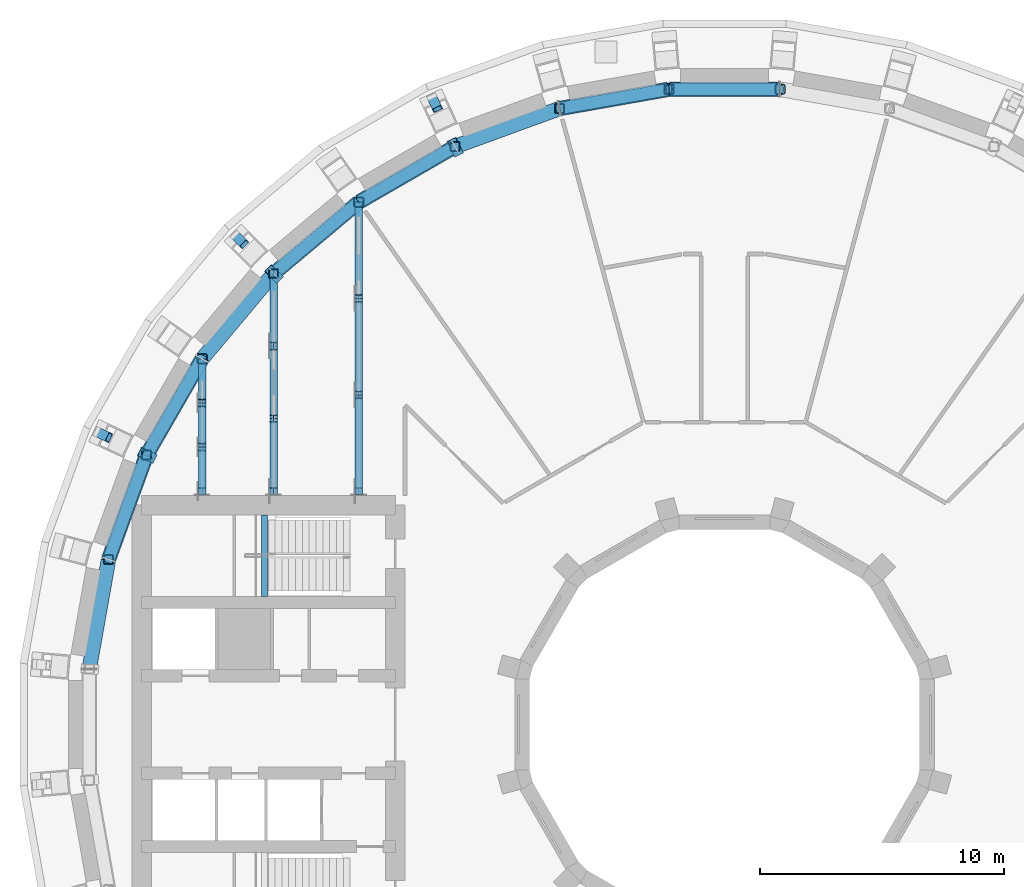
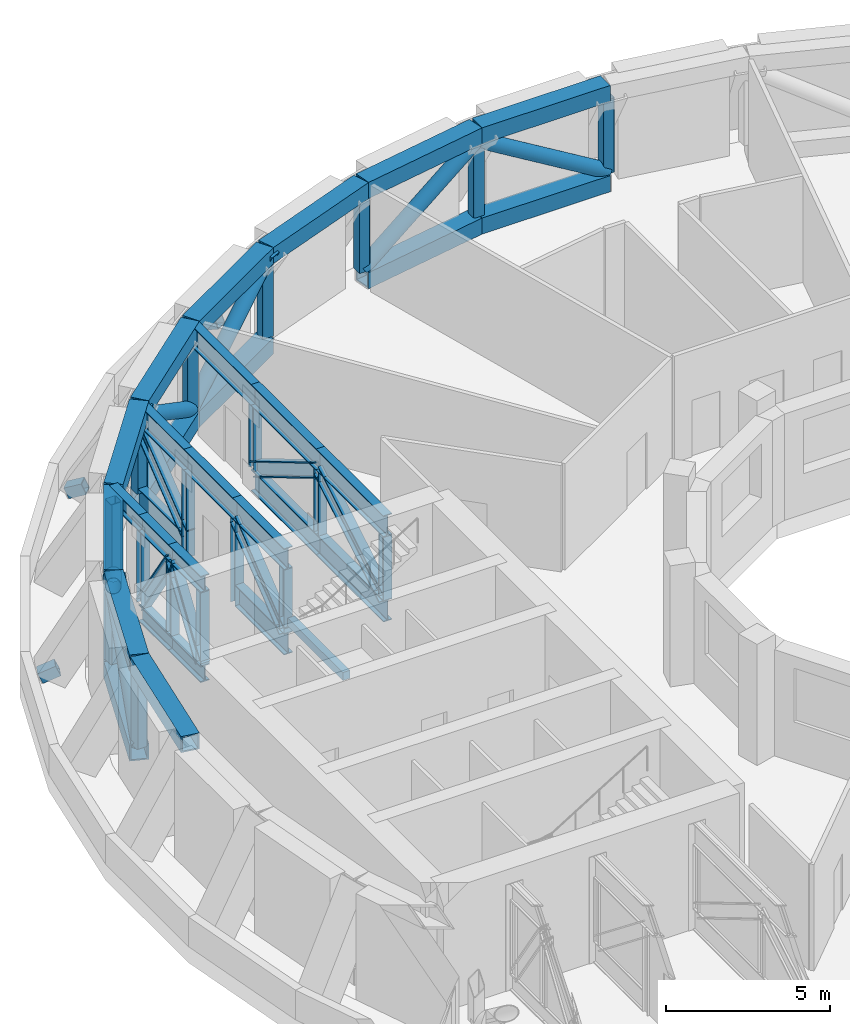
# One storey, part 4 of 19: 60 members, 7 beams.
"""IFC4 building model written with IfcOpenShell, lengths in metres."""

from ifc_helpers import new_model, si_unit, direction, frame, origin, origin_2d, place, context, subcontext, project, spatial, rectangle, hollow_rectangle, hollow_circle, i_section, extrude, material, material_profile, profile_set, type_object, element, save


model = new_model("IFC4")

# Units and contexts
model_context = context("Model", 3, precision=1e-05, world=origin(), true_north=direction((0.0, 1.0)))
body_context = subcontext(model_context, "Body", "Model", "MODEL_VIEW")
ifc_project = project(units=[si_unit("LENGTHUNIT", "METRE"), si_unit("AREAUNIT", "SQUARE_METRE"), si_unit("VOLUMEUNIT", "CUBIC_METRE"), si_unit("PLANEANGLEUNIT", "RADIAN"), si_unit("MASSUNIT", "GRAM", prefix="KILO")], contexts=[model_context])

# Site, building, storey
site_placement = place(None, origin())
site = spatial("IfcSite", under=ifc_project, at=site_placement, CompositionType="ELEMENT")
building_placement = place(site_placement, origin())
building = spatial("IfcBuilding", under=site, at=building_placement, Name="Saqina Gate Tower", CompositionType="ELEMENT")
storey_placement = place(building_placement, frame((0.0, 0.0, 82.39990234375)))
storey = spatial("IfcBuildingStorey", under=building, at=storey_placement, Name="L23", CompositionType="ELEMENT", Elevation=82.39990234375)

# Beam
ifc_material_1 = material(Name="Concrete C40/50", Category="concrete")
ifc_material_profile_1 = material_profile(ifc_material_1, rectangle(XDim=0.25, YDim=0.300048828125, at=origin_2d()), Name="STAIR LANDING BEAM")
ifc_profile_set_1 = profile_set([ifc_material_profile_1], Name="Concrete C40/50")
beam_type_1 = type_object("IfcBeamType", Name="STAIR LANDING BEAM", PredefinedType="BEAM", material=ifc_profile_set_1)
beam_placement = place(storey_placement, frame((-18.860107421875, 5.25, 1.85009765625), z_axis=(0.0, 1.0, 0.0), x_axis=(-1.0, 0.0, 0.0)))
element("IfcBeam", 1, at=beam_placement, inside=storey, type_object=beam_type_1, Name="EXIT STAIR 3 LANDING BEAM", PredefinedType="BEAM", context=body_context, shape_type="SweptSolid", body=[
    extrude(rectangle(XDim=0.25, YDim=0.300048828125, at=origin_2d()), origin(), (0.0, 0.0, 1.0), 3.35009765625),
])

# Members
ifc_material_2 = material(Name="Steel S460", Category="steel")
ifc_material_profile_2 = material_profile(ifc_material_2, hollow_rectangle(XDim=0.60009765625, YDim=0.60009765625, WallThickness=0.050048828125, at=origin_2d()), Name="BOX 600x600x50")
ifc_profile_set_2 = profile_set([ifc_material_profile_2], Name="Steel S460")
member_type_1 = type_object("IfcMemberType", Name="STR-BELT TRUSS L23 CHORD-BOX 600x600x50", PredefinedType="CHORD", material=ifc_profile_set_2)
for number, where, z_axis, x_axis, name in (
    (2, (2.2529296875, 26.050537109375, 0.300048828125), (-1.0, 0.0, 0.0), (0.0, -1.0, 0.0), "BELT TRUSS L23 CHORD 019"),
    (3, (2.2529296875, 26.050537109375, 3.650146484375), (-1.0, 0.0, 0.0), (0.0, -1.0, 0.0), "BELT TRUSS L23 CHORD 020"),
):
    element("IfcMember", number, at=place(storey_placement, frame(where, z_axis=z_axis, x_axis=x_axis)), inside=storey, type_object=member_type_1, Name=name, PredefinedType="CHORD", context=body_context, shape_type="SweptSolid", body=[
        extrude(hollow_rectangle(XDim=0.60009765625, YDim=0.60009765625, WallThickness=0.050048828125, at=origin_2d()), origin(), (0.0, 0.0, 1.0), 4.505859375),
    ])
for number, where, z_axis, x_axis, name in (
    (4, (-2.304931640625, 26.0458984375, 0.300048828125), (-0.984805370364, -0.173661689795, 0.0), (0.173661689795, -0.984805370364, 0.0), "BELT TRUSS L23 CHORD 022"),
    (5, (-2.304931640625, 26.0458984375, 3.650146484375), (-0.984805370364, -0.173661689795, 0.0), (0.173661689795, -0.984805370364, 0.0), "BELT TRUSS L23 CHORD 023"),
):
    element("IfcMember", number, at=place(storey_placement, frame(where, z_axis=z_axis, x_axis=x_axis)), inside=storey, type_object=member_type_1, Name=name, PredefinedType="CHORD", context=body_context, shape_type="SweptSolid", body=[
        extrude(hollow_rectangle(XDim=0.60009765625, YDim=0.60009765625, WallThickness=0.050048828125, at=origin_2d()), origin(), (0.0, 0.0, 1.0), 4.505615234375),
    ])
for number, where, z_axis, x_axis, name in (
    (6, (-6.792724609375, 25.25, 3.650146484375), (-0.939698467841, -0.342004078246, 0.0), (0.342004078246, -0.939698467841, 0.0), "BELT TRUSS L23 CHORD 025"),
    (7, (-11.07421875, 23.686767578125, 0.300048828125), (-0.866020461467, -0.500008560247, 0.0), (0.500008560247, -0.866020461467, 0.0), "BELT TRUSS L23 CHORD 026"),
    (8, (-11.07421875, 23.686767578125, 3.650146484375), (-0.866020461467, -0.500008560247, 0.0), (0.500008560247, -0.866020461467, 0.0), "BELT TRUSS L23 CHORD 027"),
    (9, (-15.01904296875, 21.404052734375, 0.300048828125), (-0.766049527971, -0.642781549747, 0.0), (0.642781549747, -0.766049527971, 0.0), "BELT TRUSS L23 CHORD 029"),
    (10, (-15.01904296875, 21.404052734375, 3.650146484375), (-0.766049527971, -0.642781549747, 0.0), (0.642781549747, -0.766049527971, 0.0), "BELT TRUSS L23 CHORD 030"),
    (11, (-18.5078125, 18.470703125, 3.650146484375), (-0.642781549747, -0.766049527971, 0.0), (0.766049527971, -0.642781549747, 0.0), "BELT TRUSS L23 CHORD 032"),
    (12, (-21.433837890625, 14.976318359375, 0.300048828125), (-0.500008560247, -0.866020461467, 0.0), (0.866020461467, -0.500008560247, 0.0), "BELT TRUSS L23 CHORD 033"),
    (13, (-21.433837890625, 14.976318359375, 3.650146484375), (-0.500008560247, -0.866020461467, 0.0), (0.866020461467, -0.500008560247, 0.0), "BELT TRUSS L23 CHORD 034"),
    (14, (-23.708984375, 11.02685546875, 0.300048828125), (-0.342004078246, -0.939698467841, 0.0), (0.939698467841, -0.342004078246, 0.0), "BELT TRUSS L23 CHORD 036"),
    (15, (-23.708984375, 11.02685546875, 3.650146484375), (-0.342004078246, -0.939698467841, 0.0), (0.939698467841, -0.342004078246, 0.0), "BELT TRUSS L23 CHORD 037"),
):
    element("IfcMember", number, at=place(storey_placement, frame(where, z_axis=z_axis, x_axis=x_axis)), inside=storey, type_object=member_type_1, Name=name, PredefinedType="CHORD", context=body_context, shape_type="SweptSolid", body=[
        extrude(hollow_rectangle(XDim=0.60009765625, YDim=0.60009765625, WallThickness=0.050048828125, at=origin_2d()), origin(), (0.0, 0.0, 1.0), 4.505859375),
    ])
member_1_placement = place(storey_placement, frame((-25.263427734375, 6.7421875, 3.650146484375), z_axis=(-0.173661689795, -0.984805370364, 0.0), x_axis=(0.984805370364, -0.173661689795, 0.0)))
element("IfcMember", 16, at=member_1_placement, inside=storey, type_object=member_type_1, Name="BELT TRUSS L23 CHORD 039", PredefinedType="CHORD", context=body_context, shape_type="SweptSolid", body=[
    extrude(hollow_rectangle(XDim=0.60009765625, YDim=0.60009765625, WallThickness=0.050048828125, at=origin_2d()), origin(), (0.0, 0.0, 1.0), 4.505615234375),
])
ifc_material_3 = material(Name="Steel S460", Category="steel")
ifc_material_profile_3 = material_profile(ifc_material_3, hollow_circle(Radius=0.25390625, WallThickness=0.02001953125, at=origin_2d()), Name="CHS 508x20")
ifc_profile_set_3 = profile_set([ifc_material_profile_3], Name="Steel S460")
member_type_2 = type_object("IfcMemberType", Name="STR-BELT TRUSS L23 DIAGONAL-CHS 508x20", PredefinedType="BRACE", material=ifc_profile_set_3)
member_2_placement = place(storey_placement, frame((2.289306640625, 26.050537109375, 0.593994140625), z_axis=(-0.856249638459, 0.0, 0.516562248562), x_axis=(0.0, -1.0, 0.0)))
element("IfcMember", 17, at=member_2_placement, inside=storey, type_object=member_type_2, Name="BELT TRUSS L23 DIAGONAL 021", PredefinedType="BRACE", context=body_context, shape_type="SweptSolid", body=[
    extrude(hollow_circle(Radius=0.25390625, WallThickness=0.02001953125, at=origin_2d()), origin(), (0.0, 0.0, 1.0), 5.34716796875),
])
for number, where, z_axis, x_axis, name in (
    (18, (-2.26904296875, 26.05224609375, 3.356201171875), (-0.843251056415, -0.148698900419, -0.516542634125), (0.173660622851, -0.984805558509, 0.0), "BELT TRUSS L23 DIAGONAL 024"),
    (19, (-11.04248046875, 23.705078125, 3.356201171875), (-0.741545438674, -0.428116708438, -0.516552462329), (0.499987080147, -0.866032862936, 0.0), "BELT TRUSS L23 DIAGONAL 028"),
):
    element("IfcMember", number, at=place(storey_placement, frame(where, z_axis=z_axis, x_axis=x_axis)), inside=storey, type_object=member_type_2, Name=name, PredefinedType="BRACE", context=body_context, shape_type="SweptSolid", body=[
        extrude(hollow_circle(Radius=0.25390625, WallThickness=0.02001953125, at=origin_2d()), origin(), (0.0, 0.0, 1.0), 5.347412109375),
    ])
member_3_placement = place(storey_placement, frame((-14.9912109375, 21.427490234375, 0.593994140625), z_axis=(-0.655921811524, -0.550413681334, 0.51653785589), x_axis=(0.642808122223, -0.766027230589, 0.0)))
element("IfcMember", 20, at=member_3_placement, inside=storey, type_object=member_type_2, Name="BELT TRUSS L23 DIAGONAL 031", PredefinedType="BRACE", context=body_context, shape_type="SweptSolid", body=[
    extrude(hollow_circle(Radius=0.25390625, WallThickness=0.02001953125, at=origin_2d()), origin(), (0.0, 0.0, 1.0), 5.34765625),
])
member_4_placement = place(storey_placement, frame((-21.415771484375, 15.0078125, 0.593994140625), z_axis=(-0.428116708438, -0.741545438674, 0.516552462329), x_axis=(0.866032862936, -0.499987080147, 0.0)))
element("IfcMember", 21, at=member_4_placement, inside=storey, type_object=member_type_2, Name="BELT TRUSS L23 DIAGONAL 035", PredefinedType="BRACE", context=body_context, shape_type="SweptSolid", body=[
    extrude(hollow_circle(Radius=0.25390625, WallThickness=0.02001953125, at=origin_2d()), origin(), (0.0, 0.0, 1.0), 5.347412109375),
])
member_5_placement = place(storey_placement, frame((-23.696533203125, 11.06103515625, 3.356201171875), z_axis=(-0.292844315993, -0.804614184713, -0.516563858926), x_axis=(0.939696861171, -0.34200849274, 0.0)))
element("IfcMember", 22, at=member_5_placement, inside=storey, type_object=member_type_2, Name="BELT TRUSS L23 DIAGONAL 038", PredefinedType="BRACE", context=body_context, shape_type="SweptSolid", body=[
    extrude(hollow_circle(Radius=0.25390625, WallThickness=0.02001953125, at=origin_2d()), origin(), (0.0, 0.0, 1.0), 5.34716796875),
])
ifc_material_4 = material(Name="Steel S460", Category="steel")
ifc_material_profile_4 = material_profile(ifc_material_4, hollow_rectangle(XDim=0.39990234375, YDim=0.39990234375, WallThickness=0.02001953125, InnerFilletRadius=0.0400390625, OuterFilletRadius=0.06005859375, at=origin_2d()), Name="SHS 400x400x20")
ifc_profile_set_4 = profile_set([ifc_material_profile_4], Name="Steel S460")
member_type_3 = type_object("IfcMemberType", Name="STR-BELT TRUSS L23 POST-SHS 400x400x20", PredefinedType="POST", material=ifc_profile_set_4)
for number, where, z_axis, x_axis, name in (
    (23, (2.279052734375, 26.050537109375, 0.60009765625), (0.0, 0.0, 1.0), (1.0, 0.0, 0.0), "BELT TRUSS L23 POST 092"),
    (24, (-2.279052734375, 26.050537109375, 0.60009765625), (0.0, 0.0, 1.0), (1.0, 0.0, 0.0), "BELT TRUSS L23 POST 093"),
    (25, (-6.76806640625, 25.259033203125, 0.60009765625), (0.0, 0.0, 1.0), (1.0, 0.0, 0.0), "BELT TRUSS L23 POST 094"),
    (26, (-11.051513671875, 23.699951171875, 0.60009765625), (0.0, 0.0, 1.0), (1.0, 0.0, 0.0), "BELT TRUSS L23 POST 095"),
    (27, (-14.9990234375, 21.4208984375, 0.60009765625), (0.0, 0.0, 1.0), (1.0, 0.0, 0.0), "BELT TRUSS L23 POST 096"),
    (28, (-18.49072265625, 18.49072265625, 0.60009765625), (0.0, 0.0, 1.0), (1.0, 0.0, 0.0), "BELT TRUSS L23 POST 097"),
    (29, (-21.4208984375, 14.9990234375, 0.60009765625), (0.0, 0.0, 1.0), (1.0, 0.0, 0.0), "BELT TRUSS L23 POST 098"),
    (30, (-23.699951171875, 11.051513671875, 0.60009765625), (0.0, 0.0, 1.0), (1.0, 0.0, 0.0), "BELT TRUSS L23 POST 099"),
    (31, (-25.259033203125, 6.76806640625, 0.60009765625), (0.0, 0.0, 1.0), (1.0, 0.0, 0.0), "BELT TRUSS L23 POST 100"),
):
    element("IfcMember", number, at=place(storey_placement, frame(where, z_axis=z_axis, x_axis=x_axis)), inside=storey, type_object=member_type_3, Name=name, PredefinedType="POST", context=body_context, shape_type="SweptSolid", body=[
        extrude(hollow_rectangle(XDim=0.39990234375, YDim=0.39990234375, WallThickness=0.02001953125, InnerFilletRadius=0.0400390625, OuterFilletRadius=0.06005859375, at=origin_2d()), origin(), (0.0, 0.0, 1.0), 2.75),
    ])

# Beams
ifc_material_5 = material(Name="Steel S460", Category="steel")
ifc_material_profile_5 = material_profile(ifc_material_5, hollow_rectangle(XDim=0.39990234375, YDim=0.39990234375, WallThickness=0.030029296875, at=origin_2d()), Name="BOX 400x400x30")
ifc_profile_set_5 = profile_set([ifc_material_profile_5], Name="Steel S460")
beam_type_2 = type_object("IfcBeamType", Name="STR-NODE TIE BEAM L23-BOX 400x400x30", PredefinedType="BEAM", material=ifc_profile_set_5)
for number, where, z_axis, x_axis, name in (
    (32, (-12.00244140625, 25.7392578125, 0.18212890625), (0.384484184664, -0.824702421307, 0.414774430305), (0.906341825437, 0.42254525848, 0.0), "NODE TIE BEAM L23 12 FOOT"),
    (33, (-10.9248046875, 23.427978515625, 3.517333984375), (-0.384484184664, 0.824702421307, 0.414774430305), (-0.906341825437, -0.42254525848, 0.0), "NODE TIE BEAM L23 12 HEAD"),
    (34, (-20.081787109375, 20.081787109375, 0.18212890625), (0.643405223047, -0.643405223047, 0.414800479642), (0.707106781187, 0.707106781187, 0.0), "NODE TIE BEAM L23 14 FOOT"),
    (35, (-18.27880859375, 18.27880859375, 3.517333984375), (-0.643405223047, 0.643405223047, 0.414800479642), (-0.707106781187, -0.707106781187, 0.0), "NODE TIE BEAM L23 14 HEAD"),
    (36, (-25.7392578125, 12.00244140625, 0.18212890625), (0.824702421307, -0.384484184664, 0.414774430305), (0.42254525848, 0.906341825437, 0.0), "NODE TIE BEAM L23 16 FOOT"),
    (37, (-23.427978515625, 10.9248046875, 3.517333984375), (-0.824702421307, 0.384484184664, 0.414774430305), (-0.42254525848, -0.906341825437, 0.0), "NODE TIE BEAM L23 16 HEAD"),
):
    element("IfcBeam", number, at=place(storey_placement, frame(where, z_axis=z_axis, x_axis=x_axis)), inside=storey, type_object=beam_type_2, Name=name, PredefinedType="BEAM", context=body_context, shape_type="SweptSolid", body=[
        extrude(hollow_rectangle(XDim=0.39990234375, YDim=0.39990234375, WallThickness=0.030029296875, at=origin_2d()), origin(), (0.0, 0.0, 1.0), 0.6044921875),
    ])

# Members
ifc_material_6 = material(Name="Steel S460", Category="steel")
ifc_material_profile_6 = material_profile(ifc_material_6, i_section(OverallWidth=0.304931640625, OverallDepth=0.6201171875, WebThickness=0.02099609375, FlangeThickness=0.0400390625, FilletRadius=0.027099609375, at=origin_2d()), Name="HE 600 M")
ifc_profile_set_6 = profile_set([ifc_material_profile_6], Name="Steel S460")
member_type_4 = type_object("IfcMemberType", Name="STR-OUTRIGGER TRUSS L23 CHORD-HE 600 M", PredefinedType="CHORD", material=ifc_profile_set_6)
for number, where, z_axis, x_axis, name in (
    (38, (-21.4208984375, 9.41796875, 0.31005859375), (0.0, 1.0, 0.0), (-1.0, 0.0, 0.0), "OUTRIGGER TRUSS L23 CHORD 140"),
    (39, (-21.4208984375, 9.41796875, 3.64013671875), (0.0, 1.0, 0.0), (-1.0, 0.0, 0.0), "OUTRIGGER TRUSS L23 CHORD 141"),
):
    element("IfcMember", number, at=place(storey_placement, frame(where, z_axis=z_axis, x_axis=x_axis)), inside=storey, type_object=member_type_4, Name=name, PredefinedType="CHORD", context=body_context, shape_type="SweptSolid", body=[
        extrude(i_section(OverallWidth=0.304931640625, OverallDepth=0.6201171875, WebThickness=0.02099609375, FlangeThickness=0.0400390625, FilletRadius=0.027099609375, at=origin_2d()), origin(), (0.0, 0.0, 1.0), 1.96044921875),
    ])
for number, where, z_axis, x_axis, name in (
    (40, (-21.4208984375, 11.37841796875, 0.31005859375), (0.0, 1.0, 0.0), (-1.0, 0.0, 0.0), "OUTRIGGER TRUSS L23 CHORD 143"),
    (41, (-21.4208984375, 11.37841796875, 3.64013671875), (0.0, 1.0, 0.0), (-1.0, 0.0, 0.0), "OUTRIGGER TRUSS L23 CHORD 144"),
    (42, (-21.4208984375, 13.188720703125, 3.64013671875), (0.0, 1.0, 0.0), (-1.0, 0.0, 0.0), "OUTRIGGER TRUSS L23 CHORD 146"),
):
    element("IfcMember", number, at=place(storey_placement, frame(where, z_axis=z_axis, x_axis=x_axis)), inside=storey, type_object=member_type_4, Name=name, PredefinedType="CHORD", context=body_context, shape_type="SweptSolid", body=[
        extrude(i_section(OverallWidth=0.304931640625, OverallDepth=0.6201171875, WebThickness=0.02099609375, FlangeThickness=0.0400390625, FilletRadius=0.027099609375, at=origin_2d()), origin(), (0.0, 0.0, 1.0), 1.810302734375),
    ])
ifc_material_7 = material(Name="Steel S460", Category="steel")
ifc_material_profile_7 = material_profile(ifc_material_7, i_section(OverallWidth=0.306884765625, OverallDepth=0.431884765625, WebThickness=0.02099609375, FlangeThickness=0.0400390625, FilletRadius=0.027099609375, at=origin_2d()), Name="HE 400 M")
ifc_profile_set_7 = profile_set([ifc_material_profile_7], Name="Steel S460")
member_type_5 = type_object("IfcMemberType", Name="STR-OUTRIGGER TRUSS L23 DIAGONAL-HE 400 M", PredefinedType="BRACE", material=ifc_profile_set_7)
for number, where, z_axis, x_axis, name in (
    (43, (-21.4208984375, 9.561279296875, 0.610107421875), (0.0, 0.555489335201, 0.831523660805), (-1.0, 0.0, 0.0), "OUTRIGGER TRUSS L23 DIAGONAL 142"),
    (44, (-21.4208984375, 11.37158203125, 3.340087890625), (0.0, 0.555489335201, -0.831523660805), (-1.0, 0.0, 0.0), "OUTRIGGER TRUSS L23 DIAGONAL 145"),
):
    element("IfcMember", number, at=place(storey_placement, frame(where, z_axis=z_axis, x_axis=x_axis)), inside=storey, type_object=member_type_5, Name=name, PredefinedType="BRACE", context=body_context, shape_type="SweptSolid", body=[
        extrude(i_section(OverallWidth=0.306884765625, OverallDepth=0.431884765625, WebThickness=0.02099609375, FlangeThickness=0.0400390625, FilletRadius=0.027099609375, at=origin_2d()), origin(), (0.0, 0.0, 1.0), 3.283203125),
    ])
ifc_material_8 = material(Name="Steel S460", Category="steel")
ifc_material_profile_8 = material_profile(ifc_material_8, i_section(OverallWidth=0.300048828125, OverallDepth=0.800048828125, WebThickness=0.017578125, FlangeThickness=0.032958984375, FilletRadius=0.030029296875, at=origin_2d()), Name="HE 800 B")
ifc_profile_set_8 = profile_set([ifc_material_profile_8], Name="Steel S460")
member_type_6 = type_object("IfcMemberType", Name="STR-OUTRIGGER TRUSS L23 LONG CHORD-HE 800 B", PredefinedType="CHORD", material=ifc_profile_set_8)
member_6_placement = place(storey_placement, frame((-18.49072265625, 9.41796875, 0.400146484375), z_axis=(0.0, 1.0, 0.0), x_axis=(-1.0, 0.0, 0.0)))
element("IfcMember", 45, at=member_6_placement, inside=storey, type_object=member_type_6, Name="OUTRIGGER TRUSS L23 LONG CHORD 180", PredefinedType="CHORD", context=body_context, shape_type="SweptSolid", body=[
    extrude(i_section(OverallWidth=0.300048828125, OverallDepth=0.800048828125, WebThickness=0.017578125, FlangeThickness=0.032958984375, FilletRadius=0.030029296875, at=origin_2d()), origin(), (0.0, 0.0, 1.0), 2.974365234375),
])
member_7_placement = place(storey_placement, frame((-18.49072265625, 9.41796875, 3.550048828125), z_axis=(0.0, 1.0, 0.0), x_axis=(-1.0, 0.0, 0.0)))
element("IfcMember", 46, at=member_7_placement, inside=storey, type_object=member_type_6, Name="OUTRIGGER TRUSS L23 LONG CHORD 181", PredefinedType="CHORD", context=body_context, shape_type="SweptSolid", body=[
    extrude(i_section(OverallWidth=0.300048828125, OverallDepth=0.800048828125, WebThickness=0.017578125, FlangeThickness=0.032958984375, FilletRadius=0.030029296875, at=origin_2d()), origin(), (0.0, 0.0, 1.0), 3.124267578125),
])
member_8_placement = place(storey_placement, frame((-18.49072265625, 15.66650390625, 0.400146484375), z_axis=(0.0, 1.0, 0.0), x_axis=(-1.0, 0.0, 0.0)))
element("IfcMember", 47, at=member_8_placement, inside=storey, type_object=member_type_6, Name="OUTRIGGER TRUSS L23 LONG CHORD 183", PredefinedType="CHORD", context=body_context, shape_type="SweptSolid", body=[
    extrude(i_section(OverallWidth=0.300048828125, OverallDepth=0.800048828125, WebThickness=0.017578125, FlangeThickness=0.032958984375, FilletRadius=0.030029296875, at=origin_2d()), origin(), (0.0, 0.0, 1.0), 2.82421875),
])
member_9_placement = place(storey_placement, frame((-18.49072265625, 15.5166015625, 3.550048828125), z_axis=(0.0, 1.0, 0.0), x_axis=(-1.0, 0.0, 0.0)))
element("IfcMember", 48, at=member_9_placement, inside=storey, type_object=member_type_6, Name="OUTRIGGER TRUSS L23 LONG CHORD 184", PredefinedType="CHORD", context=body_context, shape_type="SweptSolid", body=[
    extrude(i_section(OverallWidth=0.300048828125, OverallDepth=0.800048828125, WebThickness=0.017578125, FlangeThickness=0.032958984375, FilletRadius=0.030029296875, at=origin_2d()), origin(), (0.0, 0.0, 1.0), 2.97412109375),
])
member_10_placement = place(storey_placement, frame((-18.49072265625, 12.542236328125, 3.550048828125), z_axis=(0.0, 1.0, 0.0), x_axis=(-1.0, 0.0, 0.0)))
element("IfcMember", 49, at=member_10_placement, inside=storey, type_object=member_type_6, Name="OUTRIGGER TRUSS L23 LONG CHORD 186", PredefinedType="CHORD", context=body_context, shape_type="SweptSolid", body=[
    extrude(i_section(OverallWidth=0.300048828125, OverallDepth=0.800048828125, WebThickness=0.017578125, FlangeThickness=0.032958984375, FilletRadius=0.030029296875, at=origin_2d()), origin(), (0.0, 0.0, 1.0), 2.974365234375),
])
for number, where, z_axis, x_axis, name in (
    (50, (-14.9990234375, 9.41796875, 0.400146484375), (0.0, 1.0, 0.0), (-1.0, 0.0, 0.0), "OUTRIGGER TRUSS L23 LONG CHORD 220"),
    (51, (-14.9990234375, 9.41796875, 3.550048828125), (0.0, 1.0, 0.0), (-1.0, 0.0, 0.0), "OUTRIGGER TRUSS L23 LONG CHORD 221"),
):
    element("IfcMember", number, at=place(storey_placement, frame(where, z_axis=z_axis, x_axis=x_axis)), inside=storey, type_object=member_type_6, Name=name, PredefinedType="CHORD", context=body_context, shape_type="SweptSolid", body=[
        extrude(i_section(OverallWidth=0.300048828125, OverallDepth=0.800048828125, WebThickness=0.017578125, FlangeThickness=0.032958984375, FilletRadius=0.030029296875, at=origin_2d()), origin(), (0.0, 0.0, 1.0), 4.10107421875),
    ])
for number, where, z_axis, x_axis, name in (
    (52, (-14.9990234375, 13.51904296875, 0.400146484375), (0.0, 1.0, 0.0), (-1.0, 0.0, 0.0), "OUTRIGGER TRUSS L23 LONG CHORD 223"),
    (53, (-14.9990234375, 13.51904296875, 3.550048828125), (0.0, 1.0, 0.0), (-1.0, 0.0, 0.0), "OUTRIGGER TRUSS L23 LONG CHORD 224"),
    (54, (-14.9990234375, 17.469970703125, 3.550048828125), (0.0, 1.0, 0.0), (-1.0, 0.0, 0.0), "OUTRIGGER TRUSS L23 LONG CHORD 226"),
):
    element("IfcMember", number, at=place(storey_placement, frame(where, z_axis=z_axis, x_axis=x_axis)), inside=storey, type_object=member_type_6, Name=name, PredefinedType="CHORD", context=body_context, shape_type="SweptSolid", body=[
        extrude(i_section(OverallWidth=0.300048828125, OverallDepth=0.800048828125, WebThickness=0.017578125, FlangeThickness=0.032958984375, FilletRadius=0.030029296875, at=origin_2d()), origin(), (0.0, 0.0, 1.0), 3.950927734375),
    ])
ifc_material_9 = material(Name="Steel S460", Category="steel")
ifc_material_profile_9 = material_profile(ifc_material_9, i_section(OverallWidth=0.305908203125, OverallDepth=0.52392578125, WebThickness=0.02099609375, FlangeThickness=0.0400390625, FilletRadius=0.027099609375, at=origin_2d()), Name="HE 500 M")
ifc_profile_set_9 = profile_set([ifc_material_profile_9], Name="Steel S460")
member_type_7 = type_object("IfcMemberType", Name="STR-OUTRIGGER TRUSS L23 LONG DIAGONAL-HE 500 M", PredefinedType="BRACE", material=ifc_profile_set_9)
for number, where, z_axis, x_axis, name in (
    (55, (-18.49072265625, 9.55859375, 0.792724609375), (0.0, 0.784663187604, 0.619922319342), (-1.0, 0.0, 0.0), "OUTRIGGER TRUSS L23 LONG DIAGONAL 182"),
    (56, (-18.49072265625, 15.507080078125, 0.792724609375), (0.0, 0.784663187604, 0.619922319342), (-1.0, 0.0, 0.0), "OUTRIGGER TRUSS L23 LONG DIAGONAL 185"),
):
    element("IfcMember", number, at=place(storey_placement, frame(where, z_axis=z_axis, x_axis=x_axis)), inside=storey, type_object=member_type_7, Name=name, PredefinedType="BRACE", context=body_context, shape_type="SweptSolid", body=[
        extrude(i_section(OverallWidth=0.305908203125, OverallDepth=0.52392578125, WebThickness=0.02099609375, FlangeThickness=0.0400390625, FilletRadius=0.027099609375, at=origin_2d()), origin(), (0.0, 0.0, 1.0), 3.814697265625),
    ])
for number, where, z_axis, x_axis, name in (
    (57, (-14.9990234375, 9.5576171875, 0.7939453125), (0.0, 0.859463118365, 0.511197758378), (-1.0, 0.0, 0.0), "OUTRIGGER TRUSS L23 LONG DIAGONAL 222"),
    (58, (-14.9990234375, 13.508544921875, 3.15625), (0.0, 0.859463118365, -0.511197758378), (-1.0, 0.0, 0.0), "OUTRIGGER TRUSS L23 LONG DIAGONAL 225"),
):
    element("IfcMember", number, at=place(storey_placement, frame(where, z_axis=z_axis, x_axis=x_axis)), inside=storey, type_object=member_type_7, Name=name, PredefinedType="BRACE", context=body_context, shape_type="SweptSolid", body=[
        extrude(i_section(OverallWidth=0.305908203125, OverallDepth=0.52392578125, WebThickness=0.02099609375, FlangeThickness=0.0400390625, FilletRadius=0.027099609375, at=origin_2d()), origin(), (0.0, 0.0, 1.0), 4.62109375),
    ])
ifc_material_10 = material(Name="Steel S460", Category="steel")
ifc_material_profile_10 = material_profile(ifc_material_10, i_section(OverallWidth=0.300048828125, OverallDepth=0.300048828125, WebThickness=0.010986328125, FlangeThickness=0.01904296875, FilletRadius=0.027099609375, at=origin_2d()), Name="HE 300 B")
ifc_profile_set_10 = profile_set([ifc_material_profile_10], Name="Steel S460")
member_type_8 = type_object("IfcMemberType", Name="STR-OUTRIGGER TRUSS L23 LONG POST-HE 300 B", PredefinedType="POST", material=ifc_profile_set_10)
member_11_placement = place(storey_placement, frame((-18.49072265625, 9.568115234375, 0.800048828125), z_axis=(0.0, 0.0, 1.0), x_axis=(1.0, 0.0, 0.0)))
element("IfcMember", 59, at=member_11_placement, inside=storey, type_object=member_type_8, Name="OUTRIGGER TRUSS L23 LONG POST 187", PredefinedType="POST", context=body_context, shape_type="SweptSolid", body=[
    extrude(i_section(OverallWidth=0.300048828125, OverallDepth=0.300048828125, WebThickness=0.010986328125, FlangeThickness=0.01904296875, FilletRadius=0.027099609375, at=origin_2d()), origin(), (0.0, 0.0, 1.0), 2.35009765625),
])
for number, where, z_axis, x_axis, name in (
    (60, (-18.49072265625, 12.542236328125, 0.0), (0.0, 0.0, 1.0), (1.0, 0.0, 0.0), "OUTRIGGER TRUSS L23 LONG POST 188"),
    (61, (-18.49072265625, 15.5166015625, 0.0), (0.0, 0.0, 1.0), (1.0, 0.0, 0.0), "OUTRIGGER TRUSS L23 LONG POST 189"),
):
    element("IfcMember", number, at=place(storey_placement, frame(where, z_axis=z_axis, x_axis=x_axis)), inside=storey, type_object=member_type_8, Name=name, PredefinedType="POST", context=body_context, shape_type="SweptSolid", body=[
        extrude(i_section(OverallWidth=0.300048828125, OverallDepth=0.300048828125, WebThickness=0.010986328125, FlangeThickness=0.01904296875, FilletRadius=0.027099609375, at=origin_2d()), origin(), (0.0, 0.0, 1.0), 3.150146484375),
    ])
for number, where, z_axis, x_axis, name in (
    (62, (-14.9990234375, 9.568115234375, 0.800048828125), (0.0, 0.0, 1.0), (1.0, 0.0, 0.0), "OUTRIGGER TRUSS L23 LONG POST 227"),
    (63, (-14.9990234375, 13.51904296875, 0.800048828125), (0.0, 0.0, 1.0), (1.0, 0.0, 0.0), "OUTRIGGER TRUSS L23 LONG POST 228"),
    (64, (-14.9990234375, 17.469970703125, 0.800048828125), (0.0, 0.0, 1.0), (1.0, 0.0, 0.0), "OUTRIGGER TRUSS L23 LONG POST 229"),
):
    element("IfcMember", number, at=place(storey_placement, frame(where, z_axis=z_axis, x_axis=x_axis)), inside=storey, type_object=member_type_8, Name=name, PredefinedType="POST", context=body_context, shape_type="SweptSolid", body=[
        extrude(i_section(OverallWidth=0.300048828125, OverallDepth=0.300048828125, WebThickness=0.010986328125, FlangeThickness=0.01904296875, FilletRadius=0.027099609375, at=origin_2d()), origin(), (0.0, 0.0, 1.0), 2.35009765625),
    ])
ifc_material_11 = material(Name="Steel S460", Category="steel")
ifc_material_profile_11 = material_profile(ifc_material_11, i_section(OverallWidth=0.300048828125, OverallDepth=0.300048828125, WebThickness=0.010986328125, FlangeThickness=0.01904296875, FilletRadius=0.027099609375, at=origin_2d()), Name="HE 300 B")
ifc_profile_set_11 = profile_set([ifc_material_profile_11], Name="Steel S460")
member_type_9 = type_object("IfcMemberType", Name="STR-OUTRIGGER TRUSS L23 POST-HE 300 B", PredefinedType="POST", material=ifc_profile_set_11)
for number, where, z_axis, x_axis, name in (
    (65, (-21.4208984375, 9.568115234375, 0.6201171875), (0.0, 0.0, 1.0), (1.0, 0.0, 0.0), "OUTRIGGER TRUSS L23 POST 147"),
    (66, (-21.4208984375, 11.37841796875, 0.6201171875), (0.0, 0.0, 1.0), (1.0, 0.0, 0.0), "OUTRIGGER TRUSS L23 POST 148"),
    (67, (-21.4208984375, 13.188720703125, 0.6201171875), (0.0, 0.0, 1.0), (1.0, 0.0, 0.0), "OUTRIGGER TRUSS L23 POST 149"),
):
    element("IfcMember", number, at=place(storey_placement, frame(where, z_axis=z_axis, x_axis=x_axis)), inside=storey, type_object=member_type_9, Name=name, PredefinedType="POST", context=body_context, shape_type="SweptSolid", body=[
        extrude(i_section(OverallWidth=0.300048828125, OverallDepth=0.300048828125, WebThickness=0.010986328125, FlangeThickness=0.01904296875, FilletRadius=0.027099609375, at=origin_2d()), origin(), (0.0, 0.0, 1.0), 2.7099609375),
    ])

save(model, "model.ifc")
